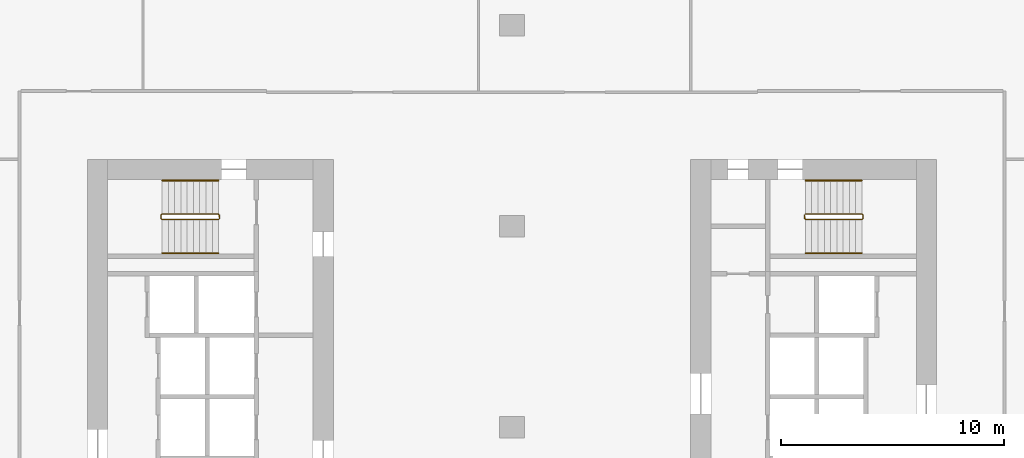
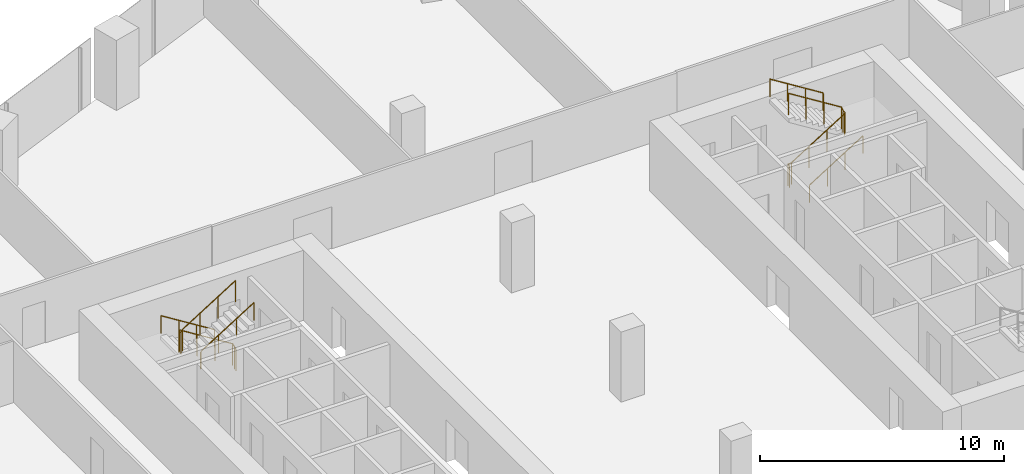
# One storey, part 34 of 34: 6 railings.
"""IFC4 building model written with IfcOpenShell, lengths in metres."""

from ifc_helpers import new_model, si_unit, direction, frame, origin, origin_2d, place, context, subcontext, project, spatial, circle, extrude, material, type_object, element, save


model = new_model("IFC4")

# Units and contexts
model_context = context("Model", 3, precision=1e-05, world=origin(), true_north=direction((0.0, 1.0)))
body_context = subcontext(model_context, "Body", "Model", "MODEL_VIEW")
ifc_project = project(units=[si_unit("LENGTHUNIT", "METRE"), si_unit("AREAUNIT", "SQUARE_METRE"), si_unit("VOLUMEUNIT", "CUBIC_METRE"), si_unit("PLANEANGLEUNIT", "RADIAN"), si_unit("MASSUNIT", "GRAM", prefix="KILO")], contexts=[model_context])

# Site, building, storey
site_placement = place(None, origin())
site = spatial("IfcSite", under=ifc_project, at=site_placement, CompositionType="ELEMENT")
building_placement = place(site_placement, origin())
building = spatial("IfcBuilding", under=site, at=building_placement, Name="Orlundy Tower", CompositionType="ELEMENT")
storey_placement = place(building_placement, frame((0.0, 0.0, 109.199951171875)))
storey = spatial("IfcBuildingStorey", under=building, at=storey_placement, Name="L27", CompositionType="ELEMENT", Elevation=109.199951171875)

# Railings
ifc_material_1 = material(Name="Steel balustrade", Category="steel")
railing_type_1 = type_object("IfcRailingType", Name="Stair Guard 1100", PredefinedType="GUARDRAIL", material=ifc_material_1)
railing_1_placement = place(storey_placement, frame((-13.090087890625, 9.5, 0.0)))
element("IfcRailing", 1, at=railing_1_placement, inside=storey, type_object=railing_type_1, Name="L27 ST-W1 stair guard 1", PredefinedType="GUARDRAIL", context=body_context, shape_type="SweptSolid", body=[
    extrude(circle(Radius=0.02392578125, at=origin_2d()), frame((0.0, 0.0, 1.076171875), z_axis=(0.0, -1.0, 0.0), x_axis=(1.0, 0.0, 0.0)), (0.0, 0.0, 1.0), 0.14990234375),
    extrude(circle(Radius=0.02392578125, at=origin_2d()), frame((0.0, -0.14990234375, 1.076171875), z_axis=(-0.18420542264, 0.739530593833, 0.647427882513), x_axis=(-0.970351222016, -0.241699205484, 0.0)), (0.0, 0.0, 1.0), 0.270263671875),
    extrude(circle(Radius=0.02392578125, at=origin_2d()), frame((-0.0498046875, 0.050048828125, 1.2509765625), z_axis=(-0.848007534815, 0.0, 0.529984170421), x_axis=(0.0, -1.0, 0.0)), (0.0, 0.0, 1.0), 2.9716796875),
    extrude(circle(Radius=0.02392578125, at=origin_2d()), frame((-2.56982421875, 0.050048828125, 2.826171875), z_axis=(-0.707106781187, -0.707106781187, 0.0), x_axis=(0.707106781187, -0.707106781187, 0.0)), (0.0, 0.0, 1.0), 0.07080078125),
    extrude(circle(Radius=0.02392578125, at=origin_2d()), frame((-2.619873046875, 0.0, 2.826171875), z_axis=(0.0, -1.0, 0.0), x_axis=(1.0, 0.0, 0.0)), (0.0, 0.0, 1.0), 0.14990234375),
    extrude(circle(Radius=0.02392578125, at=origin_2d()), frame((-2.619873046875, -0.14990234375, 2.826171875), z_axis=(0.265065253269, -0.265065253269, 0.927081885822), x_axis=(0.707106781187, 0.707106781187, 0.0)), (0.0, 0.0, 1.0), 0.188720703125),
    extrude(circle(Radius=0.02392578125, at=origin_2d()), frame((-2.56982421875, -0.199951171875, 3.0009765625), z_axis=(0.848007534815, 0.0, 0.529984170421), x_axis=(0.0, 1.0, 0.0)), (0.0, 0.0, 1.0), 2.9716796875),
    extrude(circle(Radius=0.02099609375, at=origin_2d()), origin(), (0.0, 0.0, 1.0), 1.052001953125),
    extrude(circle(Radius=0.02099609375, at=origin_2d()), frame((0.0, -0.14990234375, 0.0)), (0.0, 0.0, 1.0), 1.052001953125),
    extrude(circle(Radius=0.02099609375, at=origin_2d()), frame((-0.0498046875, 0.050048828125, 0.175048828125)), (0.0, 0.0, 1.0), 1.052001953125),
    extrude(circle(Radius=0.02099609375, at=origin_2d()), frame((-0.889892578125, 0.050048828125, 0.699951171875)), (0.0, 0.0, 1.0), 1.052001953125),
    extrude(circle(Radius=0.02099609375, at=origin_2d()), frame((-1.729736328125, 0.050048828125, 1.22509765625)), (0.0, 0.0, 1.0), 1.052001953125),
    extrude(circle(Radius=0.02099609375, at=origin_2d()), frame((-2.56982421875, 0.050048828125, 1.75)), (0.0, 0.0, 1.0), 1.052001953125),
    extrude(circle(Radius=0.02099609375, at=origin_2d()), frame((-2.619873046875, 0.0, 1.75)), (0.0, 0.0, 1.0), 1.052001953125),
    extrude(circle(Radius=0.02099609375, at=origin_2d()), frame((-2.619873046875, -0.14990234375, 1.75)), (0.0, 0.0, 1.0), 1.052001953125),
    extrude(circle(Radius=0.02099609375, at=origin_2d()), frame((-2.56982421875, -0.199951171875, 1.925048828125)), (0.0, 0.0, 1.0), 1.052001953125),
    extrude(circle(Radius=0.02099609375, at=origin_2d()), frame((-1.729736328125, -0.199951171875, 2.449951171875)), (0.0, 0.0, 1.0), 1.052001953125),
    extrude(circle(Radius=0.02099609375, at=origin_2d()), frame((-0.889892578125, -0.199951171875, 2.97509765625)), (0.0, 0.0, 1.0), 1.052001953125),
    extrude(circle(Radius=0.02099609375, at=origin_2d()), frame((-0.0498046875, -0.199951171875, 3.5)), (0.0, 0.0, 1.0), 1.052001953125),
])
railing_2_placement = place(storey_placement, frame((13.090087890625, 9.35009765625, 0.0)))
element("IfcRailing", 2, at=railing_2_placement, inside=storey, type_object=railing_type_1, Name="L27 ST-E2 stair guard 1", PredefinedType="GUARDRAIL", context=body_context, shape_type="SweptSolid", body=[
    extrude(circle(Radius=0.02392578125, at=origin_2d()), frame((0.0, 0.0, 1.076171875), z_axis=(0.0, 1.0, 0.0), x_axis=(-1.0, 0.0, 0.0)), (0.0, 0.0, 1.0), 0.14990234375),
    extrude(circle(Radius=0.02392578125, at=origin_2d()), frame((0.0, 0.14990234375, 1.076171875), z_axis=(0.18420542264, -0.739530593833, 0.647427882513), x_axis=(0.970351222016, 0.241699205484, 0.0)), (0.0, 0.0, 1.0), 0.270263671875),
    extrude(circle(Radius=0.02392578125, at=origin_2d()), frame((0.0498046875, -0.050048828125, 1.2509765625), z_axis=(0.848007534815, 0.0, 0.529984170421), x_axis=(0.0, 1.0, 0.0)), (0.0, 0.0, 1.0), 2.9716796875),
    extrude(circle(Radius=0.02392578125, at=origin_2d()), frame((2.56982421875, -0.050048828125, 2.826171875), z_axis=(0.707106781187, 0.707106781187, 0.0), x_axis=(-0.707106781187, 0.707106781187, 0.0)), (0.0, 0.0, 1.0), 0.07080078125),
    extrude(circle(Radius=0.02392578125, at=origin_2d()), frame((2.619873046875, 0.0, 2.826171875), z_axis=(0.0, 1.0, 0.0), x_axis=(-1.0, 0.0, 0.0)), (0.0, 0.0, 1.0), 0.14990234375),
    extrude(circle(Radius=0.02392578125, at=origin_2d()), frame((2.619873046875, 0.14990234375, 2.826171875), z_axis=(-0.265065253269, 0.265065253269, 0.927081885822), x_axis=(-0.707106781187, -0.707106781187, 0.0)), (0.0, 0.0, 1.0), 0.188720703125),
    extrude(circle(Radius=0.02392578125, at=origin_2d()), frame((2.56982421875, 0.199951171875, 3.0009765625), z_axis=(-0.848007534815, 0.0, 0.529984170421), x_axis=(0.0, -1.0, 0.0)), (0.0, 0.0, 1.0), 2.9716796875),
    extrude(circle(Radius=0.02099609375, at=origin_2d()), origin(), (0.0, 0.0, 1.0), 1.052001953125),
    extrude(circle(Radius=0.02099609375, at=origin_2d()), frame((0.0, 0.14990234375, 0.0)), (0.0, 0.0, 1.0), 1.052001953125),
    extrude(circle(Radius=0.02099609375, at=origin_2d()), frame((0.0498046875, -0.050048828125, 0.175048828125)), (0.0, 0.0, 1.0), 1.052001953125),
    extrude(circle(Radius=0.02099609375, at=origin_2d()), frame((0.889892578125, -0.050048828125, 0.699951171875)), (0.0, 0.0, 1.0), 1.052001953125),
    extrude(circle(Radius=0.02099609375, at=origin_2d()), frame((1.729736328125, -0.050048828125, 1.22509765625)), (0.0, 0.0, 1.0), 1.052001953125),
    extrude(circle(Radius=0.02099609375, at=origin_2d()), frame((2.56982421875, -0.050048828125, 1.75)), (0.0, 0.0, 1.0), 1.052001953125),
    extrude(circle(Radius=0.02099609375, at=origin_2d()), frame((2.619873046875, 0.0, 1.75)), (0.0, 0.0, 1.0), 1.052001953125),
    extrude(circle(Radius=0.02099609375, at=origin_2d()), frame((2.619873046875, 0.14990234375, 1.75)), (0.0, 0.0, 1.0), 1.052001953125),
    extrude(circle(Radius=0.02099609375, at=origin_2d()), frame((2.56982421875, 0.199951171875, 1.925048828125)), (0.0, 0.0, 1.0), 1.052001953125),
    extrude(circle(Radius=0.02099609375, at=origin_2d()), frame((1.729736328125, 0.199951171875, 2.449951171875)), (0.0, 0.0, 1.0), 1.052001953125),
    extrude(circle(Radius=0.02099609375, at=origin_2d()), frame((0.889892578125, 0.199951171875, 2.97509765625)), (0.0, 0.0, 1.0), 1.052001953125),
    extrude(circle(Radius=0.02099609375, at=origin_2d()), frame((0.0498046875, 0.199951171875, 3.5)), (0.0, 0.0, 1.0), 1.052001953125),
])
ifc_material_2 = material(Name="Steel handrail", Category="steel")
railing_type_2 = type_object("IfcRailingType", Name="Stair Handrail 900", PredefinedType="HANDRAIL", material=ifc_material_2)
railing_3_placement = place(storey_placement, frame((-13.139892578125, 11.050048828125, 0.175048828125)))
element("IfcRailing", 3, at=railing_3_placement, inside=storey, type_object=railing_type_2, Name="L27 ST-W1 stair handrail 1", PredefinedType="HANDRAIL", context=body_context, shape_type="SweptSolid", body=[
    extrude(circle(Radius=0.02392578125, at=origin_2d()), frame((0.0, 0.0, 0.8759765625), z_axis=(-0.848007534815, 0.0, 0.529984170421), x_axis=(0.0, -1.0, 0.0)), (0.0, 0.0, 1.0), 2.9716796875),
    extrude(circle(Radius=0.02099609375, at=origin_2d()), origin(), (0.0, 0.0, 1.0), 0.851806640625),
    extrude(circle(Radius=0.02099609375, at=origin_2d()), frame((-0.840087890625, 0.0, 0.52490234375)), (0.0, 0.0, 1.0), 0.851806640625),
    extrude(circle(Radius=0.02099609375, at=origin_2d()), frame((-1.679931640625, 0.0, 1.050048828125)), (0.0, 0.0, 1.0), 0.851806640625),
    extrude(circle(Radius=0.02099609375, at=origin_2d()), frame((-2.52001953125, 0.0, 1.574951171875)), (0.0, 0.0, 1.0), 0.851806640625),
])
for number, where, name in (
    (4, (-15.659912109375, 7.800048828125, 1.925048828125), "L27 ST-W1 stair handrail 2"),
    (5, (13.139892578125, 7.800048828125, 0.175048828125), "L27 ST-E2 stair handrail 1"),
):
    element("IfcRailing", number, at=place(storey_placement, frame(where)), inside=storey, type_object=railing_type_2, Name=name, PredefinedType="HANDRAIL", context=body_context, shape_type="SweptSolid", body=[
        extrude(circle(Radius=0.02392578125, at=origin_2d()), frame((0.0, 0.0, 0.8759765625), z_axis=(0.848007534815, 0.0, 0.529984170421), x_axis=(0.0, 1.0, 0.0)), (0.0, 0.0, 1.0), 2.9716796875),
        extrude(circle(Radius=0.02099609375, at=origin_2d()), origin(), (0.0, 0.0, 1.0), 0.851806640625),
        extrude(circle(Radius=0.02099609375, at=origin_2d()), frame((0.840087890625, 0.0, 0.52490234375)), (0.0, 0.0, 1.0), 0.851806640625),
        extrude(circle(Radius=0.02099609375, at=origin_2d()), frame((1.679931640625, 0.0, 1.050048828125)), (0.0, 0.0, 1.0), 0.851806640625),
        extrude(circle(Radius=0.02099609375, at=origin_2d()), frame((2.52001953125, 0.0, 1.574951171875)), (0.0, 0.0, 1.0), 0.851806640625),
    ])
railing_4_placement = place(storey_placement, frame((15.659912109375, 11.050048828125, 1.925048828125)))
element("IfcRailing", 6, at=railing_4_placement, inside=storey, type_object=railing_type_2, Name="L27 ST-E2 stair handrail 2", PredefinedType="HANDRAIL", context=body_context, shape_type="SweptSolid", body=[
    extrude(circle(Radius=0.02392578125, at=origin_2d()), frame((0.0, 0.0, 0.8759765625), z_axis=(-0.848007534815, 0.0, 0.529984170421), x_axis=(0.0, -1.0, 0.0)), (0.0, 0.0, 1.0), 2.9716796875),
    extrude(circle(Radius=0.02099609375, at=origin_2d()), origin(), (0.0, 0.0, 1.0), 0.851806640625),
    extrude(circle(Radius=0.02099609375, at=origin_2d()), frame((-0.840087890625, 0.0, 0.52490234375)), (0.0, 0.0, 1.0), 0.851806640625),
    extrude(circle(Radius=0.02099609375, at=origin_2d()), frame((-1.679931640625, 0.0, 1.050048828125)), (0.0, 0.0, 1.0), 0.851806640625),
    extrude(circle(Radius=0.02099609375, at=origin_2d()), frame((-2.52001953125, 0.0, 1.574951171875)), (0.0, 0.0, 1.0), 0.851806640625),
])

save(model, "model.ifc")
